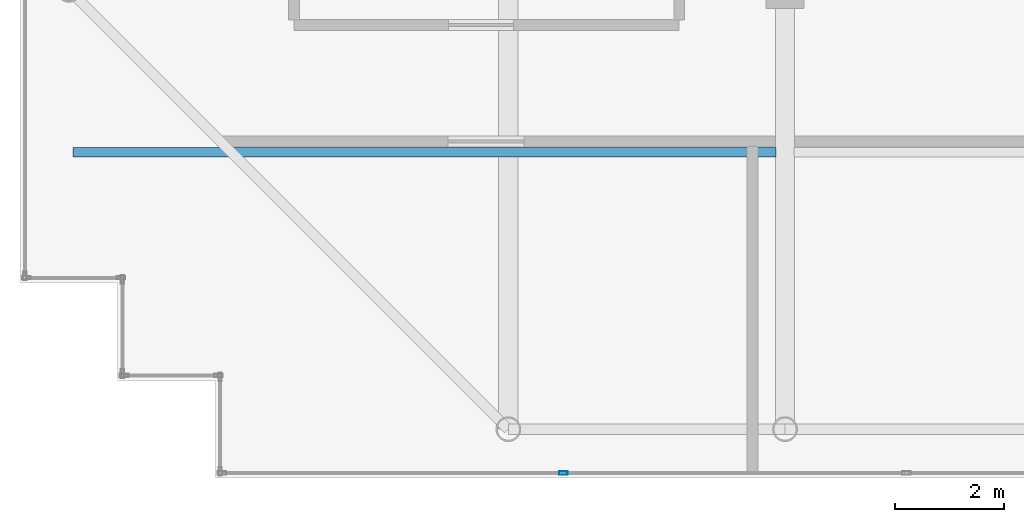
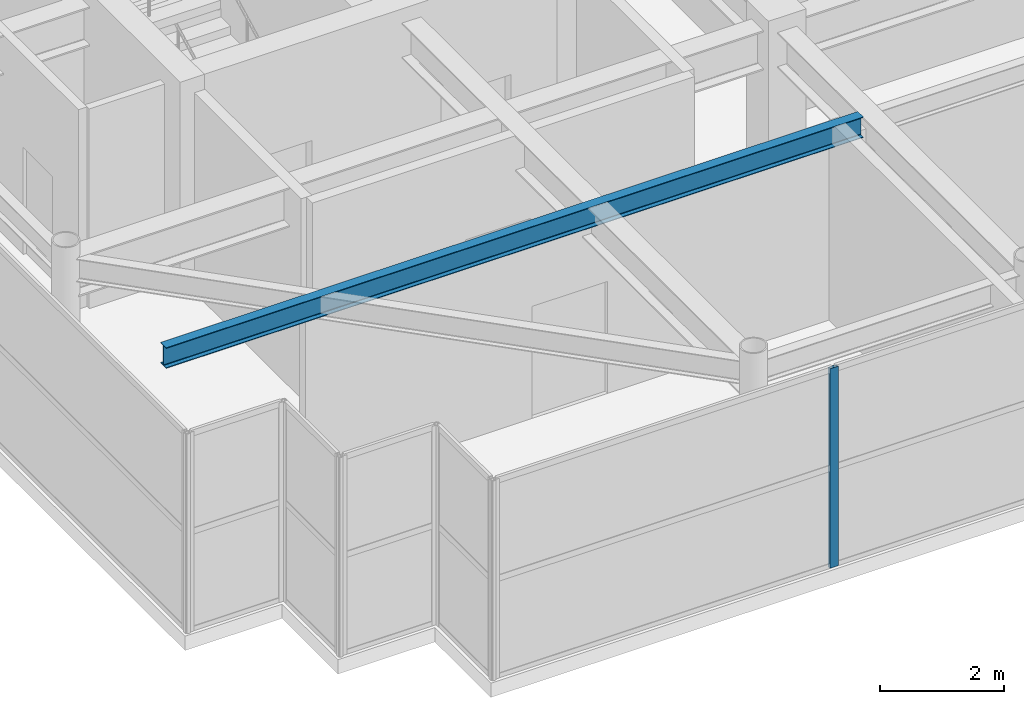
# One storey, part 3 of 33: 1 beam, 1 member, 1 element without a shape of its own.
"""IFC4 building model written with IfcOpenShell, lengths in metres."""

import ifcopenshell
import ifcopenshell.guid

model = None  # the IFC model being written
_history = None  # IfcOwnerHistory: only IFC2X3 demands one
_inside = {}  # id of a spatial element -> (the spatial element, [elements in it])
_under = {}  # id of a project, library or spatial element -> (it, [spatial elements below it])
_declared = {}  # id of a project -> (the project, [libraries it declares])
_typed = {}  # id of a type object -> (the type object, [elements of that type])
_made_of = {}  # id of a material, layer set ... -> (it, [elements and type objects made of it])


def new_model(schema):
    """Start an empty IFC model of exactly this schema.

    Asked for "IFC4X3", IfcOpenShell would pick the latest addendum, in which some entities
    have other attributes; the version numbers below select the first issue.
    IFC2X3 requires an IfcOwnerHistory on every rooted entity: one is made here for all.
    """
    global model, _history
    if schema == "IFC4X3":
        model = ifcopenshell.file(schema_version=(4, 3, 0, 0))
    else:
        model = ifcopenshell.file(schema=schema)
    _inside.clear()
    _under.clear()
    _declared.clear()
    _typed.clear()
    _made_of.clear()
    _history = None
    if model.schema == "IFC2X3":
        org = make("IfcOrganization", Name="unknown")
        user = make(
            "IfcPersonAndOrganization",
            ThePerson=make("IfcPerson", FamilyName="unknown"),
            TheOrganization=org,
        )
        app = make(
            "IfcApplication",
            ApplicationDeveloper=org,
            Version="unknown",
            ApplicationFullName="unknown",
            ApplicationIdentifier="unknown",
        )
        _history = make(
            "IfcOwnerHistory",
            OwningUser=user,
            OwningApplication=app,
            ChangeAction="ADDED",
            CreationDate=0,
        )
    return model


def make(cls, **values):
    """One entity of the class cls with the attributes given. An attribute that is None is left unset."""
    return model.create_entity(
        cls, **{name: value for name, value in values.items() if value is not None}
    )


def rooted(cls, **values):
    """An entity with a GlobalId (a new one), such as an element, a storey or a relation."""
    return make(cls, GlobalId=ifcopenshell.guid.new(), OwnerHistory=_history, **values)


def si_unit(unit_type, name, prefix=None):
    """IfcSIUnit, for example si_unit("LENGTHUNIT", "METRE", prefix="MILLI")."""
    return make("IfcSIUnit", UnitType=unit_type, Prefix=prefix, Name=name)


def assignment(units):
    """IfcUnitAssignment: the units of a project."""
    return None if units is None else make("IfcUnitAssignment", Units=units)


def point(xyz):
    """IfcCartesianPoint."""
    return None if xyz is None else make("IfcCartesianPoint", Coordinates=xyz)


def direction(xyz):
    """IfcDirection."""
    return None if xyz is None else make("IfcDirection", DirectionRatios=xyz)


def frame(location, z_axis=None, x_axis=None):
    """IfcAxis2Placement3D, a coordinate frame: its origin and axes. An axis left out is left unset."""
    return make(
        "IfcAxis2Placement3D",
        Location=point(location),
        Axis=direction(z_axis),
        RefDirection=direction(x_axis),
    )


def frame_2d(location, x_axis=None):
    """IfcAxis2Placement2D, a coordinate frame in the plane: its origin and x axis."""
    return make(
        "IfcAxis2Placement2D", Location=point(location), RefDirection=direction(x_axis)
    )


def origin():
    """The frame at (0, 0, 0) with its axes left unset."""
    return frame((0.0, 0.0, 0.0))


def origin_2d():
    """The frame at (0, 0) in the plane with its x axis left unset."""
    return frame_2d((0.0, 0.0))


def place(relative_to, where):
    """IfcLocalPlacement: puts the frame where relative to a parent placement (None: the world)."""
    return make(
        "IfcLocalPlacement", PlacementRelTo=relative_to, RelativePlacement=where
    )


def context(
    kind, dimensions, precision=None, world=None, true_north=None, identifier=None
):
    """IfcGeometricRepresentationContext, for example the 3D "Model" context."""
    return make(
        "IfcGeometricRepresentationContext",
        ContextIdentifier=identifier,
        ContextType=kind,
        CoordinateSpaceDimension=dimensions,
        Precision=precision,
        WorldCoordinateSystem=world,
        TrueNorth=true_north,
    )


def subcontext(parent, identifier, kind, view, scale=None):
    """IfcGeometricRepresentationSubContext, for example "Body" below "Model"."""
    return make(
        "IfcGeometricRepresentationSubContext",
        ContextIdentifier=identifier,
        ContextType=kind,
        ParentContext=parent,
        TargetScale=scale,
        TargetView=view,
    )


def project(units=None, contexts=None):
    """IfcProject with its units and contexts."""
    return rooted(
        "IfcProject",
        Name="project",
        RepresentationContexts=contexts,
        UnitsInContext=assignment(units),
    )


def spatial(cls, under=None, at=None, **own):
    """A site, building, storey or space (cls), placed at a placement, below another one or the project."""
    s = rooted(cls, ObjectPlacement=at, **own)
    if under is not None:
        _under.setdefault(under.id(), (under, []))[1].append(s)
    return s


def profile(cls, at=None, kind="AREA", **sizes):
    """A parametric profile (cls). Its sizes go by their IFC names, for example OverallWidth=200.0."""
    return make(cls, ProfileType=kind, Position=at, **sizes)


def hollow_rectangle(**sizes):
    """IfcRectangleHollowProfileDef."""
    return profile("IfcRectangleHollowProfileDef", **sizes)


def i_section(**sizes):
    """IfcIShapeProfileDef."""
    return profile("IfcIShapeProfileDef", **sizes)


def extrude(swept, where, along, depth):
    """IfcExtrudedAreaSolid: the profile swept, set in the frame where, extruded along a direction by depth."""
    return make(
        "IfcExtrudedAreaSolid",
        SweptArea=swept,
        Position=where,
        ExtrudedDirection=direction(along),
        Depth=depth,
    )


def shape(context_of_items, identifier, shape_type, items):
    """IfcShapeRepresentation: the items that make up one representation, for example the "Body"."""
    return make(
        "IfcShapeRepresentation",
        ContextOfItems=context_of_items,
        RepresentationIdentifier=identifier,
        RepresentationType=shape_type,
        Items=items,
    )


def source(mapping_origin, context_of_items, identifier, shape_type, items):
    """IfcRepresentationMap: a shape defined once, which mapped items show again and again."""
    return make(
        "IfcRepresentationMap",
        MappingOrigin=mapping_origin,
        MappedRepresentation=shape(context_of_items, identifier, shape_type, items),
    )


def transform(
    local_origin,
    x_axis=None,
    y_axis=None,
    z_axis=None,
    scale=None,
    scale2=None,
    scale3=None,
    uniform=True,
):
    """IfcCartesianTransformationOperator3D, or its non-uniform kind. x_axis, y_axis, z_axis: its Axis1, 2, 3."""
    if uniform:
        return make(
            "IfcCartesianTransformationOperator3D",
            Axis1=direction(x_axis),
            Axis2=direction(y_axis),
            LocalOrigin=point(local_origin),
            Scale=scale,
            Axis3=direction(z_axis),
        )
    return make(
        "IfcCartesianTransformationOperator3DnonUniform",
        Axis1=direction(x_axis),
        Axis2=direction(y_axis),
        LocalOrigin=point(local_origin),
        Scale=scale,
        Axis3=direction(z_axis),
        Scale2=scale2,
        Scale3=scale3,
    )


def mapped(mapping_source, mapping_target):
    """IfcMappedItem: shows the shape of a source again, moved by a transform."""
    return make(
        "IfcMappedItem", MappingSource=mapping_source, MappingTarget=mapping_target
    )


def material(Name=None, Category=None):
    """IfcMaterial."""
    return make("IfcMaterial", Name=Name, Category=Category)


def layer(
    of_material, thickness, ventilated=None, Name=None, Category=None, Priority=None
):
    """IfcMaterialLayer: one layer of a wall or slab, of a material (None: an air gap)."""
    return make(
        "IfcMaterialLayer",
        Material=of_material,
        LayerThickness=thickness,
        IsVentilated=ventilated,
        Name=Name,
        Category=Category,
        Priority=Priority,
    )


def layer_set(layers, Name=None):
    """IfcMaterialLayerSet."""
    return make("IfcMaterialLayerSet", MaterialLayers=layers, LayerSetName=Name)


def material_profile(
    of_material, cross_section, Name=None, Category=None, Priority=None
):
    """IfcMaterialProfile: a cross section and its material."""
    return make(
        "IfcMaterialProfile",
        Name=Name,
        Material=of_material,
        Profile=cross_section,
        Priority=Priority,
        Category=Category,
    )


def profile_set(profiles, Name=None, composite=None):
    """IfcMaterialProfileSet."""
    return make(
        "IfcMaterialProfileSet",
        Name=Name,
        MaterialProfiles=profiles,
        CompositeProfile=composite,
    )


def made_of(thing, what):
    """Note that an element or type object is made of a material, layer set ...; save() writes the relation."""
    if what is not None:
        _made_of.setdefault(what.id(), (what, []))[1].append(thing)
    return thing


def type_object(cls, material=None, **own):
    """A type object (cls), such as IfcWallType, which elements share."""
    return made_of(rooted(cls, **own), material)


def element(
    cls,
    number,
    at=None,
    inside=None,
    cuts=None,
    type_object=None,
    material=None,
    context=None,
    identifier="Body",
    shape_type=None,
    held_by="IfcProductDefinitionShape",
    body=None,
    shapes=None,
    **own,
):
    """One element of the class cls, such as IfcWall. Its Tag is "e" and its number.

    at: its placement. inside: the storey or other place that contains it. cuts: it is an
    opening in that element (IfcRelVoidsElement). A single representation is given by context,
    identifier, shape_type and body (its items); several are given by shapes. held_by: the class
    of the entity that holds the representations. save() writes the other relations.
    """
    e = rooted(cls, Tag="e%d" % number, ObjectPlacement=at, **own)
    if body is not None:
        shapes = [shape(context, identifier, shape_type, body)]
    if shapes is not None:
        e.Representation = make(held_by, Representations=shapes)
    if inside is not None:
        _inside.setdefault(inside.id(), (inside, []))[1].append(e)
    if cuts is not None:
        rooted(
            "IfcRelVoidsElement", RelatingBuildingElement=cuts, RelatedOpeningElement=e
        )
    if type_object is not None:
        _typed.setdefault(type_object.id(), (type_object, []))[1].append(e)
    return made_of(e, material)


def aggregate(whole, parts):
    """IfcRelAggregates: a whole, such as a stair, and the parts it consists of."""
    return rooted("IfcRelAggregates", RelatingObject=whole, RelatedObjects=parts)


def save(model, path):
    """Write the relations noted so far, then the file.

    IfcRelAggregates (storeys below a building ...), IfcRelContainedInSpatialStructure (elements
    in a storey), IfcRelDefinesByType, IfcRelAssociatesMaterial and IfcRelDeclares: one each for
    every whole, place, type object, material and project.
    """
    for whole, parts in _under.values():
        aggregate(whole, parts)
    for where, things in _inside.values():
        rooted(
            "IfcRelContainedInSpatialStructure",
            RelatedElements=things,
            RelatingStructure=where,
        )
    for kind, things in _typed.values():
        rooted("IfcRelDefinesByType", RelatedObjects=things, RelatingType=kind)
    for what, things in _made_of.values():
        rooted("IfcRelAssociatesMaterial", RelatedObjects=things, RelatingMaterial=what)
    for by, libraries in _declared.values():
        rooted("IfcRelDeclares", RelatingContext=by, RelatedDefinitions=libraries)
    model.write(path)


model = new_model("IFC4")

# Units and contexts
model_context = context("Model", 3, precision=1e-05, world=origin(), true_north=direction((0.0, 1.0)))
body_context = subcontext(model_context, "Body", "Model", "MODEL_VIEW")
ifc_project = project(units=[si_unit("LENGTHUNIT", "METRE"), si_unit("AREAUNIT", "SQUARE_METRE"), si_unit("VOLUMEUNIT", "CUBIC_METRE"), si_unit("PLANEANGLEUNIT", "RADIAN"), si_unit("MASSUNIT", "GRAM", prefix="KILO")], contexts=[model_context])

# Site, building, storey
site_placement = place(None, origin())
site = spatial("IfcSite", under=ifc_project, at=site_placement, CompositionType="ELEMENT")
building_placement = place(site_placement, origin())
building = spatial("IfcBuilding", under=site, at=building_placement, Name="Khoralis Quay Care Tower", CompositionType="ELEMENT")
storey_placement = place(building_placement, frame((0.0, 0.0, 302.10009765625)))
storey = spatial("IfcBuildingStorey", under=building, at=storey_placement, Name="L79", CompositionType="ELEMENT", Elevation=302.10009765625)

# Beam
ifc_material_1 = material(Name="Steel S355", Category="steel")
ifc_material_profile_1 = material_profile(ifc_material_1, i_section(OverallWidth=0.177978515625, OverallDepth=0.406982421875, WebThickness=0.0078125, FlangeThickness=0.0126953125, FilletRadius=0.012939453125, at=origin_2d()), Name="Steel S355")
ifc_profile_set_1 = profile_set([ifc_material_profile_1], Name="Steel S355")
beam_type = type_object("IfcBeamType", Name="BM-W410X60", PredefinedType="JOIST", material=ifc_profile_set_1)
shared_shape_1 = source(origin(), body_context, "Body", "SweptSolid", [
    extrude(i_section(OverallWidth=0.177978515625, OverallDepth=0.406982421875, WebThickness=0.0078125, FlangeThickness=0.0126953125, FilletRadius=0.012939453125, at=origin_2d()), origin(), (0.0, 0.0, 1.0), 12.95361328125),
])
beam_placement = place(storey_placement, frame((3.98095703125, 9.0, 3.71630859375), z_axis=(1.0, 0.0, 0.0), x_axis=(0.0, 1.0, 0.0)))
element("IfcBeam", 1, at=beam_placement, inside=storey, type_object=beam_type, Name="BM-TJS-L79-21", PredefinedType="JOIST", context=body_context, shape_type="MappedRepresentation", body=[
    mapped(shared_shape_1, transform((0.0, 0.0, 0.0), scale=1.0)),
])

# Curtain wall, member
ifc_material_2 = material(Name="Pale anodised aluminium", Category="aluminium")
ifc_layer = layer(ifc_material_2, 0.199951171875)
ifc_layer_set = layer_set([ifc_layer], Name="Pale anodised aluminium")
curtain_wall_type = type_object("IfcCurtainWallType", Name="CW-SYS-LANTERN", PredefinedType="NOTDEFINED", material=ifc_layer_set)
curtain_wall_placement = place(storey_placement, origin())
curtain_wall = element("IfcCurtainWall", 2, at=curtain_wall_placement, inside=storey, type_object=curtain_wall_type, Name="L79 Unitised Curtain Wall CW-LN-L79-01", PredefinedType="NOTDEFINED")
ifc_material_profile_2 = material_profile(ifc_material_2, hollow_rectangle(XDim=0.06005859375, YDim=0.159912109375, WallThickness=0.00390625, at=origin_2d()), Name="Pale anodised aluminium")
ifc_profile_set_2 = profile_set([ifc_material_profile_2], Name="Pale anodised aluminium")
member_type = type_object("IfcMemberType", Name="CW-MUL-160", PredefinedType="MULLION", material=ifc_profile_set_2)
shared_shape_2 = source(origin(), body_context, "Body", "SweptSolid", [
    extrude(hollow_rectangle(XDim=0.06005859375, YDim=0.159912109375, WallThickness=0.00390625, at=origin_2d()), origin(), (0.0, 0.0, 1.0), 3.919921875),
])
member_placement = place(storey_placement, frame((13.013916015625, 3.090087890625, 0.0), z_axis=(0.0, 0.0, 1.0), x_axis=(0.0, 1.0, 0.0)))
member = element("IfcMember", 3, at=member_placement, type_object=member_type, Name="CW5 mullion 2", PredefinedType="MULLION", context=body_context, shape_type="MappedRepresentation", body=[
    mapped(shared_shape_2, transform((0.0, 0.0, 0.0), scale=1.0)),
])
aggregate(curtain_wall, [member])

save(model, "model.ifc")
